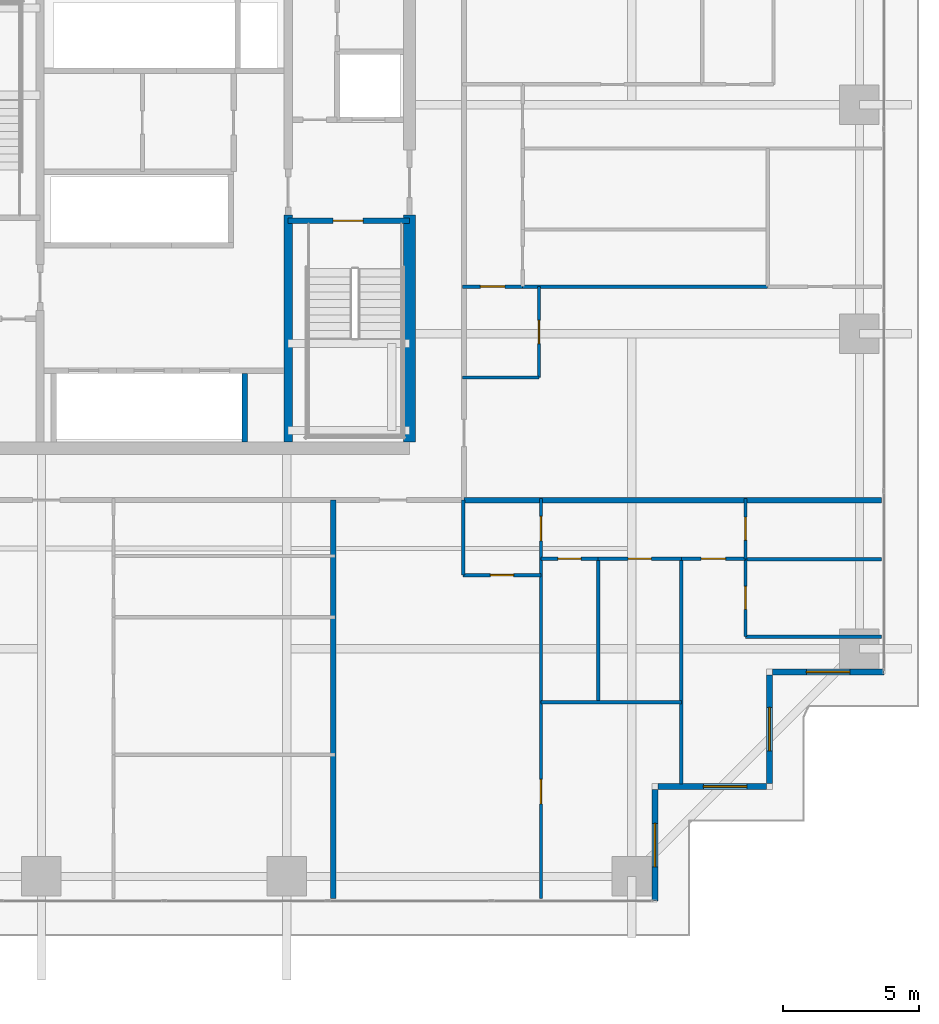
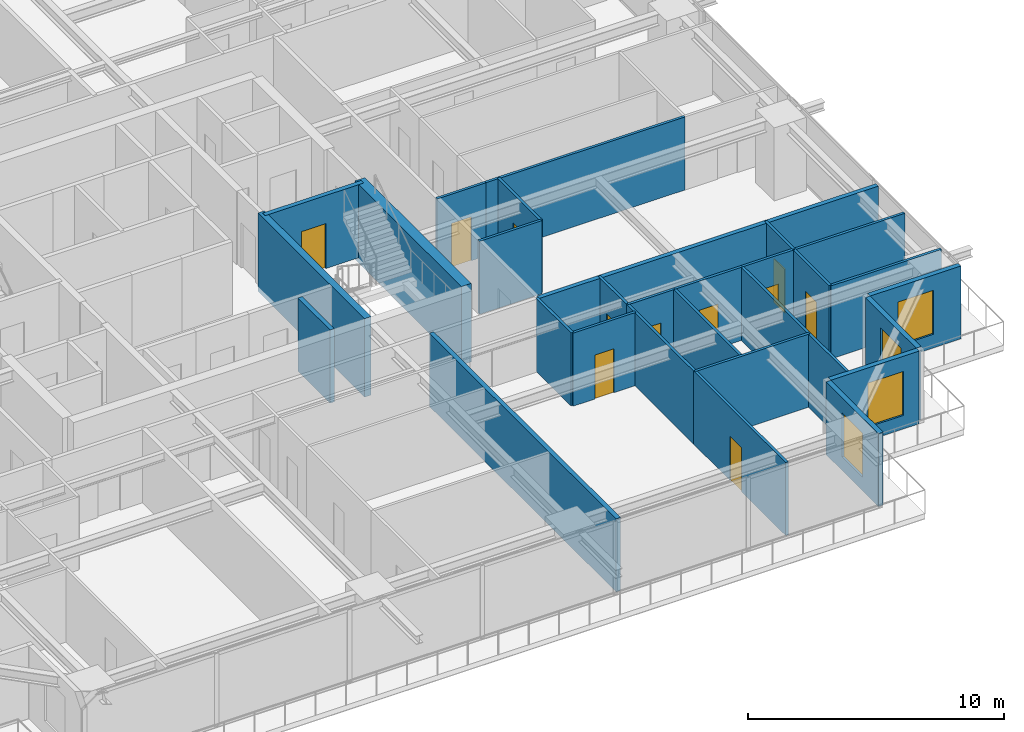
# One storey, part 25 of 35: 29 walls, 11 doors, 4 windows, 15 openings.
"""IFC4 building model written with IfcOpenShell, lengths in metres."""

from ifc_helpers import new_model, si_unit, direction, frame, frame_2d, origin, place, context, subcontext, project, spatial, rectangle, extrude, source, transform, mapped, material, layer, layer_set, type_object, element, fill, save


model = new_model("IFC4")

# Units and contexts
model_context = context("Model", 3, precision=1e-05, world=origin(), true_north=direction((0.0, 1.0)))
body_context = subcontext(model_context, "Body", "Model", "MODEL_VIEW")
ifc_project = project(units=[si_unit("LENGTHUNIT", "METRE"), si_unit("AREAUNIT", "SQUARE_METRE"), si_unit("VOLUMEUNIT", "CUBIC_METRE"), si_unit("PLANEANGLEUNIT", "RADIAN"), si_unit("MASSUNIT", "GRAM", prefix="KILO")], contexts=[model_context])

# Site, building, storey
site_placement = place(None, origin())
site = spatial("IfcSite", under=ifc_project, at=site_placement, CompositionType="ELEMENT")
building_placement = place(site_placement, origin())
building = spatial("IfcBuilding", under=site, at=building_placement, Name="Serunith Strait Residences", CompositionType="ELEMENT")
storey_placement = place(building_placement, frame((0.0, 0.0, 71.699951171875)))
storey = spatial("IfcBuildingStorey", under=building, at=storey_placement, Name="L17", CompositionType="ELEMENT", Elevation=71.699951171875)

# Wall, opening, window
ifc_material_1 = material(Name="Pale-Champagne Aluminium Insulated Panel", Category="aluminium")
ifc_layer_1 = layer(ifc_material_1, 0.219970703125, Name="Pale-Champagne Aluminium Insulated Panel")
ifc_layer_set_1 = layer_set([ifc_layer_1], Name="Pale-Champagne Aluminium Insulated Panel")
wall_type_1 = type_object("IfcWallType", Name="EW-ALUM-220", PredefinedType="ELEMENTEDWALL", material=ifc_layer_set_1)
wall_1_placement = place(storey_placement, frame((50.39990234375, 0.199951171875, 0.0), z_axis=(0.0, 0.0, 1.0), x_axis=(0.0, 1.0, 0.0)))
wall_1 = element("IfcWall", 1, at=wall_1_placement, inside=storey, type_object=wall_type_1, Name="L17 Girih Serrated Corner Wall 02", PredefinedType="ELEMENTEDWALL", context=body_context, shape_type="SweptSolid", body=[
    extrude(rectangle(XDim=4.090087890625, YDim=0.219970703125, at=frame_2d((2.044921875, 0.0))), origin(), (0.0, 0.0, 1.0), 3.47509765625),
])
opening_1_placement = place(wall_1_placement, frame((1.2451171875, 0.0, 0.64990234375)))
opening_1 = element("IfcOpeningElement", 2, at=opening_1_placement, cuts=wall_1, Name="Opening W-02", PredefinedType="OPENING", context=body_context, shape_type="SweptSolid", body=[
    extrude(rectangle(XDim=1.60009765625, YDim=2.10009765625, at=frame_2d((0.800048828125, 1.050048828125))), frame((0.0, 0.1201171875, 0.0), z_axis=(0.0, -1.0, 0.0), x_axis=(1.0, 0.0, 0.0)), (0.0, 0.0, 1.0), 0.239990234375),
])
ifc_material_2 = material(Name="Ceramic-Fritted Operable Aluminium Window Glass", Category="aluminium")
window_type = type_object("IfcWindowType", Name="WIN-C2", PartitioningType="DOUBLE_PANEL_VERTICAL", PredefinedType="WINDOW", material=ifc_material_2)
shared_shape_1 = source(origin(), body_context, "Body", "SweptSolid", [
    extrude(rectangle(XDim=1.60009765625, YDim=2.10009765625, at=frame_2d((0.800048828125, 1.050048828125))), frame((0.0, 0.030029296875, 0.0), z_axis=(0.0, -1.0, 0.0), x_axis=(1.0, 0.0, 0.0)), (0.0, 0.0, 1.0), 0.06005859375),
])
window_1_placement = place(opening_1_placement, origin())
window_1 = element("IfcWindow", 3, at=window_1_placement, inside=storey, type_object=window_type, Name="L17 Corner Operable Fritted Window 02", OverallHeight=2.10009765625, OverallWidth=1.60009765625, PartitioningType="SINGLE_PANEL", PredefinedType="WINDOW", context=body_context, shape_type="MappedRepresentation", body=[
    mapped(shared_shape_1, transform((0.0, 0.0, 0.0), scale=1.0)),
])
fill(opening_1, window_1)

wall_2_placement = place(storey_placement, frame((50.510009765625, 4.39990234375, 0.0), z_axis=(0.0, 0.0, 1.0), x_axis=(1.0, 0.0, 0.0)))
wall_2 = element("IfcWall", 4, at=wall_2_placement, inside=storey, type_object=wall_type_1, Name="L17 Girih Serrated Corner Wall 03", PredefinedType="ELEMENTEDWALL", context=body_context, shape_type="SweptSolid", body=[
    extrude(rectangle(XDim=3.97998046875, YDim=0.219970703125, at=frame_2d((1.989990234375, 0.0))), origin(), (0.0, 0.0, 1.0), 3.47509765625),
])
opening_2_placement = place(wall_2_placement, frame((1.666015625, 0.0, 0.64990234375)))
opening_2 = element("IfcOpeningElement", 5, at=opening_2_placement, cuts=wall_2, Name="Opening W-02", PredefinedType="OPENING", context=body_context, shape_type="SweptSolid", body=[
    extrude(rectangle(XDim=1.60009765625, YDim=2.10009765625, at=frame_2d((0.800048828125, 1.050048828125))), frame((0.0, 0.1201171875, 0.0), z_axis=(0.0, -1.0, 0.0), x_axis=(1.0, 0.0, 0.0)), (0.0, 0.0, 1.0), 0.239990234375),
])
window_2_placement = place(opening_2_placement, origin())
window_2 = element("IfcWindow", 6, at=window_2_placement, inside=storey, type_object=window_type, Name="L17 Corner Operable Fritted Window 03", OverallHeight=2.10009765625, OverallWidth=1.60009765625, PartitioningType="SINGLE_PANEL", PredefinedType="WINDOW", context=body_context, shape_type="MappedRepresentation", body=[
    mapped(shared_shape_1, transform((0.0, 0.0, 0.0), scale=1.0)),
])
fill(opening_2, window_2)

wall_3_placement = place(storey_placement, frame((54.60009765625, 4.510009765625, 0.0), z_axis=(0.0, 0.0, 1.0), x_axis=(0.0, 1.0, 0.0)))
wall_3 = element("IfcWall", 7, at=wall_3_placement, inside=storey, type_object=wall_type_1, Name="L17 Girih Serrated Corner Wall 04", PredefinedType="ELEMENTEDWALL", context=body_context, shape_type="SweptSolid", body=[
    extrude(rectangle(XDim=3.97998046875, YDim=0.219970703125, at=frame_2d((1.989990234375, 0.0))), origin(), (0.0, 0.0, 1.0), 3.47509765625),
])
opening_3_placement = place(wall_3_placement, frame((1.18994140625, 0.0, 0.64990234375)))
opening_3 = element("IfcOpeningElement", 8, at=opening_3_placement, cuts=wall_3, Name="Opening W-02", PredefinedType="OPENING", context=body_context, shape_type="SweptSolid", body=[
    extrude(rectangle(XDim=1.60009765625, YDim=2.10009765625, at=frame_2d((0.800048828125, 1.050048828125))), frame((0.0, 0.1201171875, 0.0), z_axis=(0.0, -1.0, 0.0), x_axis=(1.0, 0.0, 0.0)), (0.0, 0.0, 1.0), 0.239990234375),
])
window_3_placement = place(opening_3_placement, origin())
window_3 = element("IfcWindow", 9, at=window_3_placement, inside=storey, type_object=window_type, Name="L17 Corner Operable Fritted Window 04", OverallHeight=2.10009765625, OverallWidth=1.60009765625, PartitioningType="SINGLE_PANEL", PredefinedType="WINDOW", context=body_context, shape_type="MappedRepresentation", body=[
    mapped(shared_shape_1, transform((0.0, 0.0, 0.0), scale=1.0)),
])
fill(opening_3, window_3)

wall_4_placement = place(storey_placement, frame((54.7099609375, 8.60009765625, 0.0), z_axis=(0.0, 0.0, 1.0), x_axis=(1.0, 0.0, 0.0)))
wall_4 = element("IfcWall", 10, at=wall_4_placement, inside=storey, type_object=wall_type_1, Name="L17 Girih Serrated Corner Wall 05", PredefinedType="ELEMENTEDWALL", context=body_context, shape_type="SweptSolid", body=[
    extrude(rectangle(XDim=4.090087890625, YDim=0.219970703125, at=frame_2d((2.044921875, 0.0))), origin(), (0.0, 0.0, 1.0), 3.47509765625),
])
opening_4_placement = place(wall_4_placement, frame((1.2451171875, 0.0, 0.64990234375)))
opening_4 = element("IfcOpeningElement", 11, at=opening_4_placement, cuts=wall_4, Name="Opening W-02", PredefinedType="OPENING", context=body_context, shape_type="SweptSolid", body=[
    extrude(rectangle(XDim=1.60009765625, YDim=2.10009765625, at=frame_2d((0.800048828125, 1.050048828125))), frame((0.0, 0.1201171875, 0.0), z_axis=(0.0, -1.0, 0.0), x_axis=(1.0, 0.0, 0.0)), (0.0, 0.0, 1.0), 0.239990234375),
])
window_4_placement = place(opening_4_placement, origin())
window_4 = element("IfcWindow", 12, at=window_4_placement, inside=storey, type_object=window_type, Name="L17 Corner Operable Fritted Window 05", OverallHeight=2.10009765625, OverallWidth=1.60009765625, PartitioningType="SINGLE_PANEL", PredefinedType="WINDOW", context=body_context, shape_type="MappedRepresentation", body=[
    mapped(shared_shape_1, transform((0.0, 0.0, 0.0), scale=1.0)),
])
fill(opening_4, window_4)

# Wall, opening, door
ifc_material_3 = material(Name="Lightweight steel-stud gypsum partition", Category="steel")
ifc_layer_2 = layer(ifc_material_3, 0.1201171875, Name="Lightweight steel-stud gypsum partition")
ifc_layer_set_2 = layer_set([ifc_layer_2], Name="Lightweight steel-stud gypsum partition")
wall_type_2 = type_object("IfcWallType", Name="IW-PART-120", PredefinedType="PARTITIONING", material=ifc_layer_set_2)
wall_5_placement = place(storey_placement, frame((43.3701171875, 12.14990234375, 0.0), z_axis=(0.0, 0.0, 1.0), x_axis=(1.0, 0.0, 0.0)))
wall_5 = element("IfcWall", 13, at=wall_5_placement, inside=storey, type_object=wall_type_2, Name="L17 Partition Wall 049", PredefinedType="PARTITIONING", context=body_context, shape_type="SweptSolid", body=[
    extrude(rectangle(XDim=2.849853515625, YDim=0.1201171875, at=frame_2d((1.4248046875, 0.0))), origin(), (0.0, 0.0, 1.0), 3.489990234375),
])
opening_5_placement = place(wall_5_placement, frame((1.0, 0.0, 0.0)))
opening_5 = element("IfcOpeningElement", 14, at=opening_5_placement, cuts=wall_5, Name="Opening D-RM850", PredefinedType="OPENING", context=body_context, shape_type="SweptSolid", body=[
    extrude(rectangle(XDim=0.85009765625, YDim=2.10009765625, at=frame_2d((0.425048828125, 1.050048828125))), frame((0.0, 0.070068359375, 0.0), z_axis=(0.0, -1.0, 0.0), x_axis=(1.0, 0.0, 0.0)), (0.0, 0.0, 1.0), 0.14013671875),
])
ifc_material_4 = material(Name="Engineered timber flush study and kitchen door", Category="wood")
door_type_1 = type_object("IfcDoorType", Name="ID-ROOM-850", OperationType="NOTDEFINED", PredefinedType="DOOR", material=ifc_material_4)
shared_shape_2 = source(origin(), body_context, "Body", "SweptSolid", [
    extrude(rectangle(XDim=0.85009765625, YDim=2.10009765625, at=frame_2d((0.425048828125, 1.050048828125))), frame((0.0, 0.02490234375, 0.0), z_axis=(0.0, -1.0, 0.0), x_axis=(1.0, 0.0, 0.0)), (0.0, 0.0, 1.0), 0.050048828125),
])
door_1_placement = place(opening_5_placement, origin())
door_1 = element("IfcDoor", 15, at=door_1_placement, inside=storey, type_object=door_type_1, Name="L17 Kitchen 1703 Door", OperationType="SINGLE_SWING_LEFT", OverallHeight=2.10009765625, OverallWidth=0.85009765625, PredefinedType="DOOR", context=body_context, shape_type="MappedRepresentation", body=[
    mapped(shared_shape_2, transform((0.0, 0.0, 0.0), scale=1.0)),
])
fill(opening_5, door_1)

# Wall
wall_6_placement = place(storey_placement, frame((43.3701171875, 12.14990234375, 0.0), z_axis=(0.0, 0.0, 1.0), x_axis=(0.0, 1.0, 0.0)))
element("IfcWall", 16, at=wall_6_placement, inside=storey, type_object=wall_type_2, Name="L17 Partition Wall 050", PredefinedType="PARTITIONING", context=body_context, shape_type="SweptSolid", body=[
    extrude(rectangle(XDim=2.748046875, YDim=0.1201171875, at=frame_2d((1.3740234375, 0.0))), origin(), (0.0, 0.0, 1.0), 3.489990234375),
])

# Wall, opening, door
wall_7_placement = place(storey_placement, frame((46.219970703125, 12.75, 0.0), z_axis=(0.0, 0.0, 1.0), x_axis=(0.0, 1.0, 0.0)))
wall_7 = element("IfcWall", 17, at=wall_7_placement, inside=storey, type_object=wall_type_2, Name="L17 Partition Wall 051", PredefinedType="PARTITIONING", context=body_context, shape_type="SweptSolid", body=[
    extrude(rectangle(XDim=2.2099609375, YDim=0.1201171875, at=frame_2d((1.10498046875, 0.0))), origin(), (0.0, 0.0, 1.0), 3.489990234375),
])
opening_6_placement = place(wall_7_placement, frame((0.655029296875, 0.0, 0.0)))
opening_6 = element("IfcOpeningElement", 18, at=opening_6_placement, cuts=wall_7, Name="Opening D-RM900", PredefinedType="OPENING", context=body_context, shape_type="SweptSolid", body=[
    extrude(rectangle(XDim=0.89990234375, YDim=2.10009765625, at=frame_2d((0.449951171875, 1.050048828125))), frame((0.0, 0.070068359375, 0.0), z_axis=(0.0, -1.0, 0.0), x_axis=(1.0, 0.0, 0.0)), (0.0, 0.0, 1.0), 0.14013671875),
])
ifc_material_5 = material(Name="Engineered timber flush bedroom door", Category="wood")
door_type_2 = type_object("IfcDoorType", Name="ID-ROOM-900", OperationType="NOTDEFINED", PredefinedType="DOOR", material=ifc_material_5)
shared_shape_3 = source(origin(), body_context, "Body", "SweptSolid", [
    extrude(rectangle(XDim=0.89990234375, YDim=2.10009765625, at=frame_2d((0.449951171875, 1.050048828125))), frame((0.0, 0.02490234375, 0.0), z_axis=(0.0, -1.0, 0.0), x_axis=(1.0, 0.0, 0.0)), (0.0, 0.0, 1.0), 0.050048828125),
])
door_2_placement = place(opening_6_placement, origin())
door_2 = element("IfcDoor", 19, at=door_2_placement, inside=storey, type_object=door_type_2, Name="L17 Hall E 1703 Door", OperationType="SINGLE_SWING_RIGHT", OverallHeight=2.10009765625, OverallWidth=0.89990234375, PredefinedType="DOOR", context=body_context, shape_type="MappedRepresentation", body=[
    mapped(shared_shape_3, transform((0.0, 0.0, 0.0), scale=1.0)),
])
fill(opening_6, door_2)

wall_8_placement = place(storey_placement, frame((46.219970703125, 0.294921875, 0.0), z_axis=(0.0, 0.0, 1.0), x_axis=(0.0, 1.0, 0.0)))
wall_8 = element("IfcWall", 20, at=wall_8_placement, inside=storey, type_object=wall_type_2, Name="L17 Partition Wall 052", PredefinedType="PARTITIONING", context=body_context, shape_type="SweptSolid", body=[
    extrude(rectangle(XDim=7.193115234375, YDim=0.1201171875, at=frame_2d((3.5966796875, 0.0))), origin(), (0.0, 0.0, 1.0), 3.489990234375),
])
opening_7_placement = place(wall_8_placement, frame((3.4609375, 0.0, 0.0)))
opening_7 = element("IfcOpeningElement", 21, at=opening_7_placement, cuts=wall_8, Name="Opening D-RM900", PredefinedType="OPENING", context=body_context, shape_type="SweptSolid", body=[
    extrude(rectangle(XDim=0.89990234375, YDim=2.10009765625, at=frame_2d((0.449951171875, 1.050048828125))), frame((0.0, 0.070068359375, 0.0), z_axis=(0.0, -1.0, 0.0), x_axis=(1.0, 0.0, 0.0)), (0.0, 0.0, 1.0), 0.14013671875),
])
door_3_placement = place(opening_7_placement, origin())
door_3 = element("IfcDoor", 22, at=door_3_placement, inside=storey, type_object=door_type_2, Name="L17 Formal Dining Room 1 1703 Door", OperationType="SINGLE_SWING_LEFT", OverallHeight=2.10009765625, OverallWidth=0.89990234375, PredefinedType="DOOR", context=body_context, shape_type="MappedRepresentation", body=[
    mapped(shared_shape_3, transform((0.0, 0.0, 0.0), scale=1.0)),
])
fill(opening_7, door_3)

# Walls
wall_9_placement = place(storey_placement, frame((46.219970703125, 7.489990234375, 0.0), z_axis=(0.0, 0.0, 1.0), x_axis=(0.0, 1.0, 0.0)))
element("IfcWall", 23, at=wall_9_placement, inside=storey, type_object=wall_type_2, Name="L17 Partition Wall 053", PredefinedType="PARTITIONING", context=body_context, shape_type="SweptSolid", body=[
    extrude(rectangle(XDim=5.258056640625, YDim=0.1201171875, at=frame_2d((2.62890625, 0.0))), origin(), (0.0, 0.0, 1.0), 3.489990234375),
])
wall_10_placement = place(storey_placement, frame((46.219970703125, 7.488037109375, 0.0), z_axis=(0.0, 0.0, 1.0), x_axis=(1.0, 0.0, 0.0)))
element("IfcWall", 24, at=wall_10_placement, inside=storey, type_object=wall_type_2, Name="L17 Partition Wall 054", PredefinedType="PARTITIONING", context=body_context, shape_type="SweptSolid", body=[
    extrude(rectangle(XDim=5.150146484375, YDim=0.1201171875, at=frame_2d((2.5751953125, 0.0))), origin(), (0.0, 0.0, 1.0), 3.489990234375),
])
wall_11_placement = place(storey_placement, frame((51.3701171875, 4.4951171875, 0.0), z_axis=(0.0, 0.0, 1.0), x_axis=(0.0, 1.0, 0.0)))
element("IfcWall", 25, at=wall_11_placement, inside=storey, type_object=wall_type_2, Name="L17 Partition Wall 055", PredefinedType="PARTITIONING", context=body_context, shape_type="SweptSolid", body=[
    extrude(rectangle(XDim=8.2548828125, YDim=0.1201171875, at=frame_2d((4.12744140625, 0.0))), origin(), (0.0, 0.0, 1.0), 3.489990234375),
])
wall_12_placement = place(storey_placement, frame((48.320068359375, 7.488037109375, 0.0), z_axis=(0.0, 0.0, 1.0), x_axis=(0.0, 1.0, 0.0)))
element("IfcWall", 26, at=wall_12_placement, inside=storey, type_object=wall_type_2, Name="L17 Partition Wall 056", PredefinedType="PARTITIONING", context=body_context, shape_type="SweptSolid", body=[
    extrude(rectangle(XDim=5.261962890625, YDim=0.1201171875, at=frame_2d((2.630859375, 0.0))), origin(), (0.0, 0.0, 1.0), 3.489990234375),
])

# Wall, opening, door
wall_13_placement = place(storey_placement, frame((46.219970703125, 12.75, 0.0), z_axis=(0.0, 0.0, 1.0), x_axis=(1.0, 0.0, 0.0)))
wall_13 = element("IfcWall", 27, at=wall_13_placement, inside=storey, type_object=wall_type_2, Name="L17 Partition Wall 057", PredefinedType="PARTITIONING", context=body_context, shape_type="SweptSolid", body=[
    extrude(rectangle(XDim=2.10009765625, YDim=0.1201171875, at=frame_2d((1.050048828125, 0.0))), origin(), (0.0, 0.0, 1.0), 3.489990234375),
])
opening_8_placement = place(wall_13_placement, frame((0.625, 0.0, 0.0)))
opening_8 = element("IfcOpeningElement", 28, at=opening_8_placement, cuts=wall_13, Name="Opening D-BTH850", PredefinedType="OPENING", context=body_context, shape_type="SweptSolid", body=[
    extrude(rectangle(XDim=0.85009765625, YDim=2.10009765625, at=frame_2d((0.425048828125, 1.050048828125))), frame((0.0, 0.070068359375, 0.0), z_axis=(0.0, -1.0, 0.0), x_axis=(1.0, 0.0, 0.0)), (0.0, 0.0, 1.0), 0.14013671875),
])
ifc_material_6 = material(Name="Moisture-resistant timber bathroom door", Category="wood")
door_type_3 = type_object("IfcDoorType", Name="ID-BATH-850", OperationType="NOTDEFINED", PredefinedType="DOOR", material=ifc_material_6)
door_4_placement = place(opening_8_placement, origin())
door_4 = element("IfcDoor", 29, at=door_4_placement, inside=storey, type_object=door_type_3, Name="L17 Bathroom 1703 Door", OperationType="SINGLE_SWING_RIGHT", OverallHeight=2.10009765625, OverallWidth=0.85009765625, PredefinedType="DOOR", context=body_context, shape_type="MappedRepresentation", body=[
    mapped(shared_shape_2, transform((0.0, 0.0, 0.0), scale=1.0)),
])
fill(opening_8, door_4)

wall_14_placement = place(storey_placement, frame((48.322021484375, 12.75, 0.0), z_axis=(0.0, 0.0, 1.0), x_axis=(1.0, 0.0, 0.0)))
wall_14 = element("IfcWall", 30, at=wall_14_placement, inside=storey, type_object=wall_type_2, Name="L17 Partition Wall 058", PredefinedType="PARTITIONING", context=body_context, shape_type="SweptSolid", body=[
    extrude(rectangle(XDim=3.048095703125, YDim=0.1201171875, at=frame_2d((1.52392578125, 0.0))), origin(), (0.0, 0.0, 1.0), 3.489990234375),
])
opening_9_placement = place(wall_14_placement, frame((1.09912109375, 0.0, 0.0)))
opening_9 = element("IfcOpeningElement", 31, at=opening_9_placement, cuts=wall_14, Name="Opening D-RM850", PredefinedType="OPENING", context=body_context, shape_type="SweptSolid", body=[
    extrude(rectangle(XDim=0.85009765625, YDim=2.10009765625, at=frame_2d((0.425048828125, 1.050048828125))), frame((0.0, 0.070068359375, 0.0), z_axis=(0.0, -1.0, 0.0), x_axis=(1.0, 0.0, 0.0)), (0.0, 0.0, 1.0), 0.14013671875),
])
door_5_placement = place(opening_9_placement, origin())
door_5 = element("IfcDoor", 32, at=door_5_placement, inside=storey, type_object=door_type_1, Name="L17 Laundry Room 1703 Door", OperationType="SINGLE_SWING_LEFT", OverallHeight=2.10009765625, OverallWidth=0.85009765625, PredefinedType="DOOR", context=body_context, shape_type="MappedRepresentation", body=[
    mapped(shared_shape_2, transform((0.0, 0.0, 0.0), scale=1.0)),
])
fill(opening_9, door_5)

wall_15_placement = place(storey_placement, frame((51.3720703125, 12.75, 0.0), z_axis=(0.0, 0.0, 1.0), x_axis=(1.0, 0.0, 0.0)))
wall_15 = element("IfcWall", 33, at=wall_15_placement, inside=storey, type_object=wall_type_2, Name="L17 Partition Wall 059", PredefinedType="PARTITIONING", context=body_context, shape_type="SweptSolid", body=[
    extrude(rectangle(XDim=2.347900390625, YDim=0.1201171875, at=frame_2d((1.173828125, 0.0))), origin(), (0.0, 0.0, 1.0), 3.489990234375),
])
opening_10_placement = place(wall_15_placement, frame((0.72412109375, 0.0, 0.0)))
opening_10 = element("IfcOpeningElement", 34, at=opening_10_placement, cuts=wall_15, Name="Opening D-RM900", PredefinedType="OPENING", context=body_context, shape_type="SweptSolid", body=[
    extrude(rectangle(XDim=0.89990234375, YDim=2.10009765625, at=frame_2d((0.449951171875, 1.050048828125))), frame((0.0, 0.070068359375, 0.0), z_axis=(0.0, -1.0, 0.0), x_axis=(1.0, 0.0, 0.0)), (0.0, 0.0, 1.0), 0.14013671875),
])
door_6_placement = place(opening_10_placement, origin())
door_6 = element("IfcDoor", 35, at=door_6_placement, inside=storey, type_object=door_type_2, Name="L17 Master Bedroom E 1703 Door", OperationType="SINGLE_SWING_RIGHT", OverallHeight=2.10009765625, OverallWidth=0.89990234375, PredefinedType="DOOR", context=body_context, shape_type="MappedRepresentation", body=[
    mapped(shared_shape_3, transform((0.0, 0.0, 0.0), scale=1.0)),
])
fill(opening_10, door_6)

# Walls
wall_16_placement = place(storey_placement, frame((53.719970703125, 9.89404296875, 0.0), z_axis=(0.0, 0.0, 1.0), x_axis=(1.0, 0.0, 0.0)))
element("IfcWall", 36, at=wall_16_placement, inside=storey, type_object=wall_type_2, Name="L17 Partition Wall 060", PredefinedType="PARTITIONING", context=body_context, shape_type="SweptSolid", body=[
    extrude(rectangle(XDim=4.985107421875, YDim=0.1201171875, at=frame_2d((2.49267578125, 0.0))), origin(), (0.0, 0.0, 1.0), 3.489990234375),
])
wall_17_placement = place(storey_placement, frame((53.721923828125, 12.737060546875, 0.0), z_axis=(0.0, 0.0, 1.0), x_axis=(1.0, 0.0, 0.0)))
element("IfcWall", 37, at=wall_17_placement, inside=storey, type_object=wall_type_2, Name="L17 Partition Wall 061", PredefinedType="PARTITIONING", context=body_context, shape_type="SweptSolid", body=[
    extrude(rectangle(XDim=4.983154296875, YDim=0.1201171875, at=frame_2d((2.49169921875, 0.0))), origin(), (0.0, 0.0, 1.0), 3.489990234375),
])

# Wall, opening, door
wall_18_placement = place(storey_placement, frame((53.719970703125, 9.89404296875, 0.0), z_axis=(0.0, 0.0, 1.0), x_axis=(0.0, 1.0, 0.0)))
wall_18 = element("IfcWall", 38, at=wall_18_placement, inside=storey, type_object=wall_type_2, Name="L17 Partition Wall 062", PredefinedType="PARTITIONING", context=body_context, shape_type="SweptSolid", body=[
    extrude(rectangle(XDim=2.843017578125, YDim=0.1201171875, at=frame_2d((1.42138671875, 0.0))), origin(), (0.0, 0.0, 1.0), 3.489990234375),
])
opening_11_placement = place(wall_18_placement, frame((0.99609375, 0.0, 0.0)))
opening_11 = element("IfcOpeningElement", 39, at=opening_11_placement, cuts=wall_18, Name="Opening D-BTH850", PredefinedType="OPENING", context=body_context, shape_type="SweptSolid", body=[
    extrude(rectangle(XDim=0.85009765625, YDim=2.10009765625, at=frame_2d((0.425048828125, 1.050048828125))), frame((0.0, 0.070068359375, 0.0), z_axis=(0.0, -1.0, 0.0), x_axis=(1.0, 0.0, 0.0)), (0.0, 0.0, 1.0), 0.14013671875),
])
door_7_placement = place(opening_11_placement, origin())
door_7 = element("IfcDoor", 40, at=door_7_placement, inside=storey, type_object=door_type_3, Name="L17 En-suite Bathroom E 1703 Door", OperationType="SINGLE_SWING_LEFT", OverallHeight=2.10009765625, OverallWidth=0.85009765625, PredefinedType="DOOR", context=body_context, shape_type="MappedRepresentation", body=[
    mapped(shared_shape_2, transform((0.0, 0.0, 0.0), scale=1.0)),
])
fill(opening_11, door_7)

wall_19_placement = place(storey_placement, frame((53.719970703125, 12.75, 0.0), z_axis=(0.0, 0.0, 1.0), x_axis=(0.0, 1.0, 0.0)))
wall_19 = element("IfcWall", 41, at=wall_19_placement, inside=storey, type_object=wall_type_2, Name="L17 Partition Wall 063", PredefinedType="PARTITIONING", context=body_context, shape_type="SweptSolid", body=[
    extrude(rectangle(XDim=2.2099609375, YDim=0.1201171875, at=frame_2d((1.10498046875, 0.0))), origin(), (0.0, 0.0, 1.0), 3.489990234375),
])
opening_12_placement = place(wall_19_placement, frame((0.679931640625, 0.0, 0.0)))
opening_12 = element("IfcOpeningElement", 42, at=opening_12_placement, cuts=wall_19, Name="Opening D-RM850", PredefinedType="OPENING", context=body_context, shape_type="SweptSolid", body=[
    extrude(rectangle(XDim=0.85009765625, YDim=2.10009765625, at=frame_2d((0.425048828125, 1.050048828125))), frame((0.0, 0.070068359375, 0.0), z_axis=(0.0, -1.0, 0.0), x_axis=(1.0, 0.0, 0.0)), (0.0, 0.0, 1.0), 0.14013671875),
])
door_8_placement = place(opening_12_placement, origin())
door_8 = element("IfcDoor", 43, at=door_8_placement, inside=storey, type_object=door_type_1, Name="L17 Wardrobe E 1703 Door", OperationType="SINGLE_SWING_RIGHT", OverallHeight=2.10009765625, OverallWidth=0.85009765625, PredefinedType="DOOR", context=body_context, shape_type="MappedRepresentation", body=[
    mapped(shared_shape_2, transform((0.0, 0.0, 0.0), scale=1.0)),
])
fill(opening_12, door_8)

wall_20_placement = place(storey_placement, frame((46.14990234375, 19.39990234375, 0.0), z_axis=(0.0, 0.0, 1.0), x_axis=(0.0, 1.0, 0.0)))
wall_20 = element("IfcWall", 44, at=wall_20_placement, inside=storey, type_object=wall_type_2, Name="L17 Partition Wall 113", PredefinedType="PARTITIONING", context=body_context, shape_type="SweptSolid", body=[
    extrude(rectangle(XDim=3.330078125, YDim=0.1201171875, at=frame_2d((1.6650390625, 0.0))), origin(), (0.0, 0.0, 1.0), 3.489990234375),
])
opening_13_placement = place(wall_20_placement, frame((1.239990234375, 0.0, 0.0)))
opening_13 = element("IfcOpeningElement", 45, at=opening_13_placement, cuts=wall_20, Name="Opening D-RM850", PredefinedType="OPENING", context=body_context, shape_type="SweptSolid", body=[
    extrude(rectangle(XDim=0.85009765625, YDim=2.10009765625, at=frame_2d((0.425048828125, 1.050048828125))), frame((0.0, 0.070068359375, 0.0), z_axis=(0.0, -1.0, 0.0), x_axis=(1.0, 0.0, 0.0)), (0.0, 0.0, 1.0), 0.14013671875),
])
door_9_placement = place(opening_13_placement, origin())
door_9 = element("IfcDoor", 46, at=door_9_placement, inside=storey, type_object=door_type_1, Name="L17 Kitchen 1708 Door", OperationType="SINGLE_SWING_RIGHT", OverallHeight=2.10009765625, OverallWidth=0.85009765625, PredefinedType="DOOR", context=body_context, shape_type="MappedRepresentation", body=[
    mapped(shared_shape_2, transform((0.0, 0.0, 0.0), scale=1.0)),
])
fill(opening_13, door_9)

# Wall
wall_21_placement = place(storey_placement, frame((46.14990234375, 19.39990234375, 0.0), z_axis=(0.0, 0.0, 1.0), x_axis=(-1.0, 0.0, 0.0)))
element("IfcWall", 47, at=wall_21_placement, inside=storey, type_object=wall_type_2, Name="L17 Partition Wall 114", PredefinedType="PARTITIONING", context=body_context, shape_type="SweptSolid", body=[
    extrude(rectangle(XDim=2.809814453125, YDim=0.1201171875, at=frame_2d((1.40478515625, 0.0))), origin(), (0.0, 0.0, 1.0), 3.489990234375),
])

# Wall, opening, door
wall_22_placement = place(storey_placement, frame((45.550048828125, 22.72998046875, 0.0), z_axis=(0.0, 0.0, 1.0), x_axis=(-1.0, 0.0, 0.0)))
wall_22 = element("IfcWall", 48, at=wall_22_placement, inside=storey, type_object=wall_type_2, Name="L17 Partition Wall 115", PredefinedType="PARTITIONING", context=body_context, shape_type="SweptSolid", body=[
    extrude(rectangle(XDim=2.2099609375, YDim=0.1201171875, at=frame_2d((1.10498046875, 0.0))), origin(), (0.0, 0.0, 1.0), 3.489990234375),
])
opening_14_placement = place(wall_22_placement, frame((0.655029296875, 0.0, 0.0)))
opening_14 = element("IfcOpeningElement", 49, at=opening_14_placement, cuts=wall_22, Name="Opening D-RM900", PredefinedType="OPENING", context=body_context, shape_type="SweptSolid", body=[
    extrude(rectangle(XDim=0.89990234375, YDim=2.10009765625, at=frame_2d((0.449951171875, 1.050048828125))), frame((0.0, 0.070068359375, 0.0), z_axis=(0.0, -1.0, 0.0), x_axis=(1.0, 0.0, 0.0)), (0.0, 0.0, 1.0), 0.14013671875),
])
door_10_placement = place(opening_14_placement, origin())
door_10 = element("IfcDoor", 50, at=door_10_placement, inside=storey, type_object=door_type_2, Name="L17 Hall E 1708 Door", OperationType="SINGLE_SWING_LEFT", OverallHeight=2.10009765625, OverallWidth=0.89990234375, PredefinedType="DOOR", context=body_context, shape_type="MappedRepresentation", body=[
    mapped(shared_shape_3, transform((0.0, 0.0, 0.0), scale=1.0)),
])
fill(opening_14, door_10)

# Walls
wall_23_placement = place(storey_placement, frame((54.5380859375, 22.72998046875, 0.0), z_axis=(0.0, 0.0, 1.0), x_axis=(-1.0, 0.0, 0.0)))
element("IfcWall", 51, at=wall_23_placement, inside=storey, type_object=wall_type_2, Name="L17 Partition Wall 117", PredefinedType="PARTITIONING", context=body_context, shape_type="SweptSolid", body=[
    extrude(rectangle(XDim=8.986083984375, YDim=0.1201171875, at=frame_2d((4.4931640625, 0.0))), origin(), (0.0, 0.0, 1.0), 3.489990234375),
])
ifc_material_7 = material(Name="Twin-stud acoustic gypsum board partition")
ifc_layer_3 = layer(ifc_material_7, 0.199951171875, Name="Twin-stud acoustic gypsum board partition")
ifc_layer_set_3 = layer_set([ifc_layer_3], Name="Twin-stud acoustic gypsum board partition")
wall_type_3 = type_object("IfcWallType", Name="IW-PARTY-200", PredefinedType="PARTITIONING", material=ifc_layer_set_3)
wall_24_placement = place(storey_placement, frame((38.60009765625, 0.281982421875, 0.0), z_axis=(0.0, 0.0, 1.0), x_axis=(0.0, 1.0, 0.0)))
element("IfcWall", 52, at=wall_24_placement, inside=storey, type_object=wall_type_3, Name="L17 Partition Wall 016", PredefinedType="PARTITIONING", context=body_context, shape_type="SweptSolid", body=[
    extrude(rectangle(XDim=14.617919921875, YDim=0.199951171875, at=frame_2d((7.30908203125, 0.0))), origin(), (0.0, 0.0, 1.0), 3.489990234375),
])
wall_25_placement = place(storey_placement, frame((43.39990234375, 14.89990234375, 0.0), z_axis=(0.0, 0.0, 1.0), x_axis=(1.0, 0.0, 0.0)))
element("IfcWall", 53, at=wall_25_placement, inside=storey, type_object=wall_type_3, Name="L17 Partition Wall 020", PredefinedType="PARTITIONING", context=body_context, shape_type="SweptSolid", body=[
    extrude(rectangle(XDim=15.318115234375, YDim=0.199951171875, at=frame_2d((7.6591796875, 0.0))), origin(), (0.0, 0.0, 1.0), 3.489990234375),
])

# Wall, opening, door
ifc_material_8 = material(Name="Autoclaved aerated concrete blockwork", Category="masonry")
ifc_layer_4 = layer(ifc_material_8, 0.199951171875, Name="Autoclaved aerated concrete blockwork")
ifc_layer_set_4 = layer_set([ifc_layer_4], Name="Autoclaved aerated concrete blockwork")
wall_type_4 = type_object("IfcWallType", Name="IW-SHAFT-200", PredefinedType="STANDARD", material=ifc_layer_set_4)
wall_26_placement = place(storey_placement, frame((36.949951171875, 25.14990234375, 0.0), z_axis=(0.0, 0.0, 1.0), x_axis=(1.0, 0.0, 0.0)))
wall_26 = element("IfcWall", 54, at=wall_26_placement, inside=storey, type_object=wall_type_4, Name="L17 ST-2 North Shaft Wall", PredefinedType="STANDARD", context=body_context, shape_type="SweptSolid", body=[
    extrude(rectangle(XDim=4.449951171875, YDim=0.199951171875, at=frame_2d((2.22509765625, 0.0))), origin(), (0.0, 0.0, 1.0), 3.489990234375),
])
opening_15_placement = place(wall_26_placement, frame((1.64990234375, 0.0, 0.0)))
opening_15 = element("IfcOpeningElement", 55, at=opening_15_placement, cuts=wall_26, Name="Opening FD-1100", PredefinedType="OPENING", context=body_context, shape_type="SweptSolid", body=[
    extrude(rectangle(XDim=1.10009765625, YDim=2.14990234375, at=frame_2d((0.550048828125, 1.074951171875))), frame((0.0, 0.10986328125, 0.0), z_axis=(0.0, -1.0, 0.0), x_axis=(1.0, 0.0, 0.0)), (0.0, 0.0, 1.0), 0.219970703125),
])
ifc_material_9 = material(Name="Galvanised steel fire door leaf", Category="steel")
door_type_4 = type_object("IfcDoorType", Name="FD-STAIR-1100", OperationType="NOTDEFINED", PredefinedType="DOOR", material=ifc_material_9)
shared_shape_4 = source(origin(), body_context, "Body", "SweptSolid", [
    extrude(rectangle(XDim=1.10009765625, YDim=2.14990234375, at=frame_2d((0.550048828125, 1.074951171875))), frame((0.0, 0.02490234375, 0.0), z_axis=(0.0, -1.0, 0.0), x_axis=(1.0, 0.0, 0.0)), (0.0, 0.0, 1.0), 0.050048828125),
])
door_11_placement = place(opening_15_placement, origin())
door_11 = element("IfcDoor", 56, at=door_11_placement, inside=storey, type_object=door_type_4, Name="L17 ST-2 Escape Stair Door", OperationType="SINGLE_SWING_RIGHT", OverallHeight=2.14990234375, OverallWidth=1.10009765625, PredefinedType="DOOR", context=body_context, shape_type="MappedRepresentation", body=[
    mapped(shared_shape_4, transform((0.0, 0.0, 0.0), scale=1.0)),
])
fill(opening_15, door_11)

# Walls
wall_27_placement = place(storey_placement, frame((35.35009765625, 17.02490234375, 0.0), z_axis=(0.0, 0.0, 1.0), x_axis=(0.0, 1.0, 0.0)))
element("IfcWall", 57, at=wall_27_placement, inside=storey, type_object=wall_type_4, Name="L17 PL-3 East Shaft Wall", PredefinedType="STANDARD", context=body_context, shape_type="SweptSolid", body=[
    extrude(rectangle(XDim=2.525146484375, YDim=0.199951171875, at=frame_2d((1.2626953125, 0.0))), origin(), (0.0, 0.0, 1.0), 3.489990234375),
])
ifc_material_10 = material(Name="Concrete C80/95", Category="concrete")
ifc_layer_5 = layer(ifc_material_10, 0.300048828125, Name="Concrete C80/95")
ifc_layer_set_5 = layer_set([ifc_layer_5], Name="Concrete C80/95")
wall_type_5 = type_object("IfcWallType", Name="SW-300-C80", PredefinedType="SHEAR", material=ifc_layer_set_5)
wall_28_placement = place(storey_placement, frame((36.949951171875, 17.02490234375, -0.260009765625), z_axis=(0.0, 0.0, 1.0), x_axis=(0.0, 1.0, 0.0)))
element("IfcWall", 58, at=wall_28_placement, inside=storey, type_object=wall_type_5, Name="L17 Core Internal East Web South Pier", PredefinedType="SHEAR", context=body_context, shape_type="SweptSolid", body=[
    extrude(rectangle(XDim=8.3251953125, YDim=0.300048828125, at=frame_2d((4.16259765625, 0.0))), origin(), (0.0, 0.0, 1.0), 3.748046875),
])
ifc_layer_6 = layer(ifc_material_10, 0.449951171875, Name="Concrete C80/95")
ifc_layer_set_6 = layer_set([ifc_layer_6], Name="Concrete C80/95")
wall_type_6 = type_object("IfcWallType", Name="SW-450-C80", PredefinedType="SHEAR", material=ifc_layer_set_6)
wall_29_placement = place(storey_placement, frame((41.39990234375, 17.02490234375, -0.260009765625), z_axis=(0.0, 0.0, 1.0), x_axis=(0.0, 1.0, 0.0)))
element("IfcWall", 59, at=wall_29_placement, inside=storey, type_object=wall_type_6, Name="L17 Core East Shear Wall South Pier", PredefinedType="SHEAR", context=body_context, shape_type="SweptSolid", body=[
    extrude(rectangle(XDim=8.3251953125, YDim=0.449951171875, at=frame_2d((4.16259765625, 0.0))), origin(), (0.0, 0.0, 1.0), 3.748046875),
])

save(model, "model.ifc")
